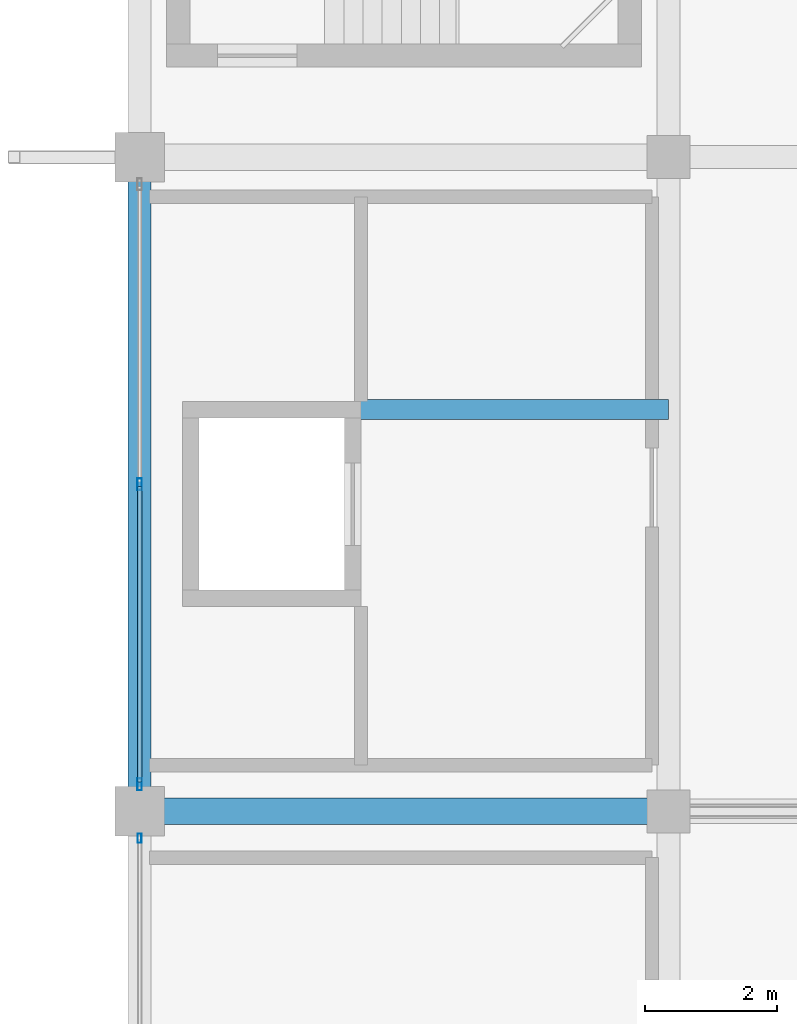
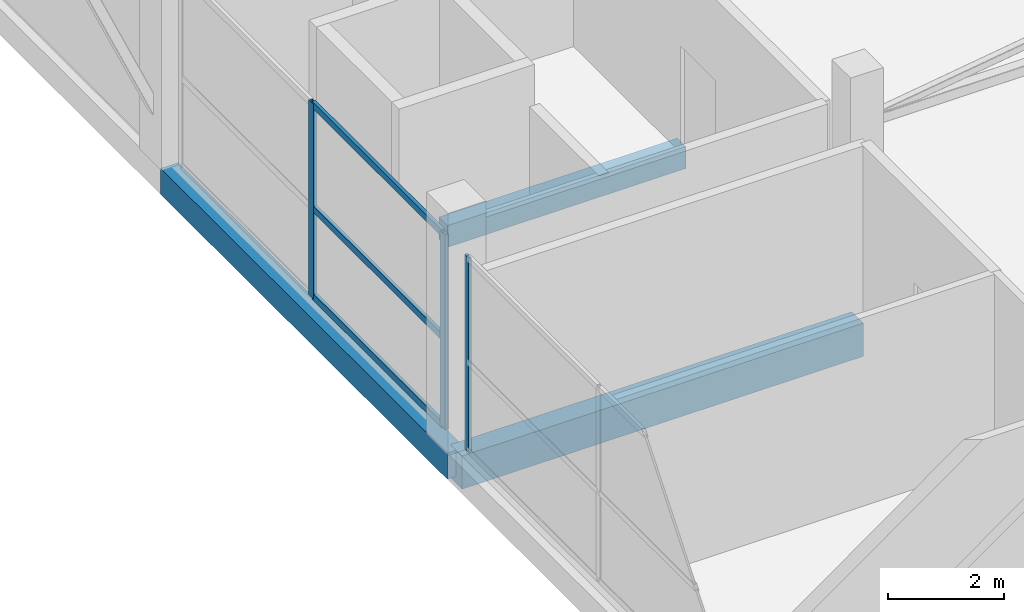
# One storey, part 26 of 67: 6 members, 3 beams, 2 elements without a shape of their own.
"""IFC4 building model written with IfcOpenShell, lengths in metres."""

from ifc_helpers import new_model, si_unit, direction, frame, origin, origin_2d, place, context, subcontext, project, spatial, rectangle, hollow_rectangle, extrude, material, layer, layer_set, material_profile, profile_set, type_object, element, aggregate, save


model = new_model("IFC4")

# Units and contexts
model_context = context("Model", 3, precision=1e-05, world=origin(), true_north=direction((0.0, 1.0)))
body_context = subcontext(model_context, "Body", "Model", "MODEL_VIEW")
ifc_project = project(units=[si_unit("LENGTHUNIT", "METRE"), si_unit("AREAUNIT", "SQUARE_METRE"), si_unit("VOLUMEUNIT", "CUBIC_METRE"), si_unit("PLANEANGLEUNIT", "RADIAN"), si_unit("MASSUNIT", "GRAM", prefix="KILO")], contexts=[model_context])

# Site, building, storey
site_placement = place(None, origin())
site = spatial("IfcSite", under=ifc_project, at=site_placement, CompositionType="ELEMENT")
building_placement = place(site_placement, origin())
building = spatial("IfcBuilding", under=site, at=building_placement, Name="Sillaruma Civic Art Gallery", CompositionType="ELEMENT")
storey_placement = place(building_placement, frame((0.0, 0.0, 46.919921875)))
storey = spatial("IfcBuildingStorey", under=building, at=storey_placement, Name="L09", CompositionType="ELEMENT", Elevation=46.919921875)

# Beams
ifc_material_1 = material(Name="Concrete H35 (35 MPa)", Category="concrete")
ifc_material_profile_1 = material_profile(ifc_material_1, rectangle(XDim=0.39990234375, YDim=0.699951171875, at=origin_2d()), Name="RCB400x700")
ifc_profile_set_1 = profile_set([ifc_material_profile_1], Name="Concrete H35 (35 MPa)")
beam_type_1 = type_object("IfcBeamType", Name="BM-BEAM-RCB400x700", PredefinedType="BEAM", material=ifc_profile_set_1)
beam_1_placement = place(storey_placement, frame((62.0, 69.300048828125, -0.599853515625), z_axis=(1.0, 0.0, 0.0), x_axis=(0.0, 1.0, 0.0)))
element("IfcBeam", 1, at=beam_1_placement, inside=storey, type_object=beam_type_1, Name="Beam BM-04 (L08:8:F-G)", PredefinedType="BEAM", context=body_context, shape_type="SweptSolid", body=[
    extrude(rectangle(XDim=0.39990234375, YDim=0.699951171875, at=origin_2d()), origin(), (0.0, 0.0, 1.0), 8.0),
])
ifc_material_profile_2 = material_profile(ifc_material_1, rectangle(XDim=0.300048828125, YDim=0.4599609375, at=origin_2d()), Name="RCB300x460")
ifc_profile_set_2 = profile_set([ifc_material_profile_2], Name="Concrete H35 (35 MPa)")
beam_type_2 = type_object("IfcBeamType", Name="BM-LINTEL-RCB300x460", PredefinedType="LINTEL", material=ifc_profile_set_2)
beam_2_placement = place(storey_placement, frame((65.25, 75.3798828125, -0.47998046875), z_axis=(1.0, 0.0, 0.0), x_axis=(0.0, 1.0, 0.0)))
element("IfcBeam", 2, at=beam_2_placement, inside=storey, type_object=beam_type_2, Name="Core Portal Coupling Lintel BL-01 (L08:FFL)", PredefinedType="LINTEL", context=body_context, shape_type="SweptSolid", body=[
    extrude(rectangle(XDim=0.300048828125, YDim=0.4599609375, at=origin_2d()), origin(), (0.0, 0.0, 1.0), 4.75),
])
ifc_material_profile_3 = material_profile(ifc_material_1, rectangle(XDim=0.35009765625, YDim=0.550048828125, at=origin_2d()), Name="RCB350x550")
ifc_profile_set_3 = profile_set([ifc_material_profile_3], Name="Concrete H35 (35 MPa)")
beam_type_3 = type_object("IfcBeamType", Name="BM-SPANDREL-RCB350x550", PredefinedType="SPANDREL", material=ifc_profile_set_3)
beam_3_placement = place(storey_placement, frame((62.0, 69.300048828125, -0.52490234375), z_axis=(0.0, 1.0, 0.0), x_axis=(-1.0, 0.0, 0.0)))
element("IfcBeam", 3, at=beam_3_placement, inside=storey, type_object=beam_type_3, Name="Beam BS-04 (L08:F:8-9)", PredefinedType="SPANDREL", context=body_context, shape_type="SweptSolid", body=[
    extrude(rectangle(XDim=0.35009765625, YDim=0.550048828125, at=origin_2d()), origin(), (0.0, 0.0, 1.0), 9.89990234375),
])

# Curtain wall, member
ifc_material_2 = material(Name="Thermally Broken Extruded Aluminium 6063-T6", Category="aluminium")
ifc_layer_1 = layer(ifc_material_2, 0.139892578125, Name="Thermally Broken Extruded Aluminium 6063-T6")
ifc_layer_set_1 = layer_set([ifc_layer_1], Name="Thermally Broken Extruded Aluminium 6063-T6")
curtain_wall_type_1 = type_object("IfcCurtainWallType", Name="CW-UNI-64", PredefinedType="NOTDEFINED", material=ifc_layer_set_1)
curtain_wall_1_placement = place(storey_placement, origin())
curtain_wall_1 = element("IfcCurtainWall", 4, at=curtain_wall_1_placement, inside=storey, type_object=curtain_wall_type_1, Name="Unitised Curtain Wall CW-64 (CW-L09-WBW-5)", PredefinedType="NOTDEFINED")
ifc_material_profile_4 = material_profile(ifc_material_2, hollow_rectangle(XDim=0.06005859375, YDim=0.139892578125, WallThickness=0.00341796875, at=origin_2d()), Name="CWM60x140")
ifc_profile_set_4 = profile_set([ifc_material_profile_4], Name="Thermally Broken Extruded Aluminium 6063-T6")
member_type_1 = type_object("IfcMemberType", Name="MEM-MUL-CWM60x140", PredefinedType="MULLION", material=ifc_profile_set_4)
member_1_placement = place(storey_placement, frame((62.0, 68.89501953125, 0.0), z_axis=(0.0, 0.0, 1.0), x_axis=(-1.0, 0.0, 0.0)))
member_1 = element("IfcMember", 5, at=member_1_placement, type_object=member_type_1, Name="CW-64 mullion 3", PredefinedType="MULLION", context=body_context, shape_type="SweptSolid", body=[
    extrude(hollow_rectangle(XDim=0.06005859375, YDim=0.139892578125, WallThickness=0.00341796875, at=origin_2d()), origin(), (0.0, 0.0, 1.0), 4.10009765625),
])
aggregate(curtain_wall_1, [member_1])

# Curtain wall, members
ifc_layer_2 = layer(ifc_material_2, 0.179931640625, Name="Thermally Broken Extruded Aluminium 6063-T6")
ifc_layer_set_2 = layer_set([ifc_layer_2], Name="Thermally Broken Extruded Aluminium 6063-T6")
curtain_wall_type_2 = type_object("IfcCurtainWallType", Name="CW-UNI-66", PredefinedType="NOTDEFINED", material=ifc_layer_set_2)
curtain_wall_2_placement = place(storey_placement, origin())
curtain_wall_2 = element("IfcCurtainWall", 6, at=curtain_wall_2_placement, inside=storey, type_object=curtain_wall_type_2, Name="Unitised Curtain Wall CW-66 (CW-L09-WBW-6)", PredefinedType="NOTDEFINED")
ifc_material_profile_5 = material_profile(ifc_material_2, hollow_rectangle(XDim=0.070068359375, YDim=0.179931640625, WallThickness=0.00390625, at=origin_2d()), Name="CWM70x180")
ifc_profile_set_5 = profile_set([ifc_material_profile_5], Name="Thermally Broken Extruded Aluminium 6063-T6")
member_type_2 = type_object("IfcMemberType", Name="MEM-MUL-CWM70x180", PredefinedType="MULLION", material=ifc_profile_set_5)
member_2_placement = place(storey_placement, frame((62.0, 69.7099609375, 0.0), z_axis=(0.0, 0.0, 1.0), x_axis=(-1.0, 0.0, 0.0)))
member_2 = element("IfcMember", 7, at=member_2_placement, type_object=member_type_2, Name="CW-66 mullion 1", PredefinedType="MULLION", context=body_context, shape_type="SweptSolid", body=[
    extrude(hollow_rectangle(XDim=0.070068359375, YDim=0.179931640625, WallThickness=0.00390625, at=origin_2d()), origin(), (0.0, 0.0, 1.0), 4.10009765625),
])
member_3_placement = place(storey_placement, frame((62.0, 74.25, 0.0), z_axis=(0.0, 0.0, 1.0), x_axis=(-1.0, 0.0, 0.0)))
member_3 = element("IfcMember", 8, at=member_3_placement, type_object=member_type_2, Name="CW-66 mullion 2", PredefinedType="MULLION", context=body_context, shape_type="SweptSolid", body=[
    extrude(hollow_rectangle(XDim=0.070068359375, YDim=0.179931640625, WallThickness=0.00390625, at=origin_2d()), origin(), (0.0, 0.0, 1.0), 4.10009765625),
])
ifc_material_profile_6 = material_profile(ifc_material_2, hollow_rectangle(XDim=0.070068359375, YDim=0.139892578125, WallThickness=0.00390625, at=origin_2d()), Name="CWT70x140")
ifc_profile_set_6 = profile_set([ifc_material_profile_6], Name="Thermally Broken Extruded Aluminium 6063-T6")
member_type_3 = type_object("IfcMemberType", Name="MEM-TRN-CWT70x140", PredefinedType="USERDEFINED", material=ifc_profile_set_6)
member_4_placement = place(storey_placement, frame((62.0, 69.7451171875, 0.03515625), z_axis=(0.0, 1.0, 0.0), x_axis=(-1.0, 0.0, 0.0)))
member_4 = element("IfcMember", 9, at=member_4_placement, type_object=member_type_3, Name="CW-66 transom 1.1", ObjectType="TRANSOM", PredefinedType="USERDEFINED", context=body_context, shape_type="SweptSolid", body=[
    extrude(hollow_rectangle(XDim=0.070068359375, YDim=0.139892578125, WallThickness=0.00390625, at=origin_2d()), origin(), (0.0, 0.0, 1.0), 4.469970703125),
])
member_5_placement = place(storey_placement, frame((62.0, 69.7451171875, 1.885986328125), z_axis=(0.0, 1.0, 0.0), x_axis=(-1.0, 0.0, 0.0)))
member_5 = element("IfcMember", 10, at=member_5_placement, type_object=member_type_3, Name="CW-66 transom 1.2", ObjectType="TRANSOM", PredefinedType="USERDEFINED", context=body_context, shape_type="SweptSolid", body=[
    extrude(hollow_rectangle(XDim=0.070068359375, YDim=0.139892578125, WallThickness=0.00390625, at=origin_2d()), origin(), (0.0, 0.0, 1.0), 4.469970703125),
])
member_6_placement = place(storey_placement, frame((62.0, 69.7451171875, 4.065185546875), z_axis=(0.0, 1.0, 0.0), x_axis=(-1.0, 0.0, 0.0)))
member_6 = element("IfcMember", 11, at=member_6_placement, type_object=member_type_3, Name="CW-66 transom 1.3", ObjectType="TRANSOM", PredefinedType="USERDEFINED", context=body_context, shape_type="SweptSolid", body=[
    extrude(hollow_rectangle(XDim=0.070068359375, YDim=0.139892578125, WallThickness=0.00390625, at=origin_2d()), origin(), (0.0, 0.0, 1.0), 4.469970703125),
])
aggregate(curtain_wall_2, [member_2, member_3, member_4, member_5, member_6])

save(model, "model.ifc")
